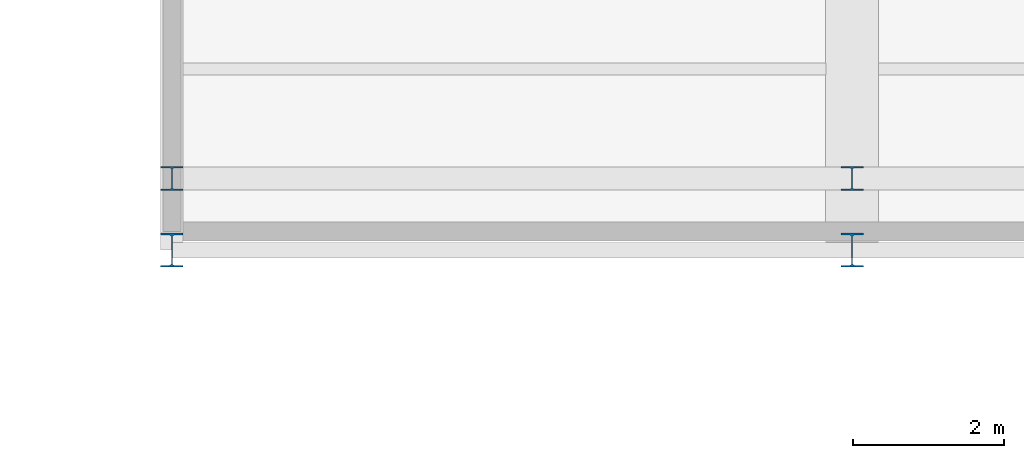
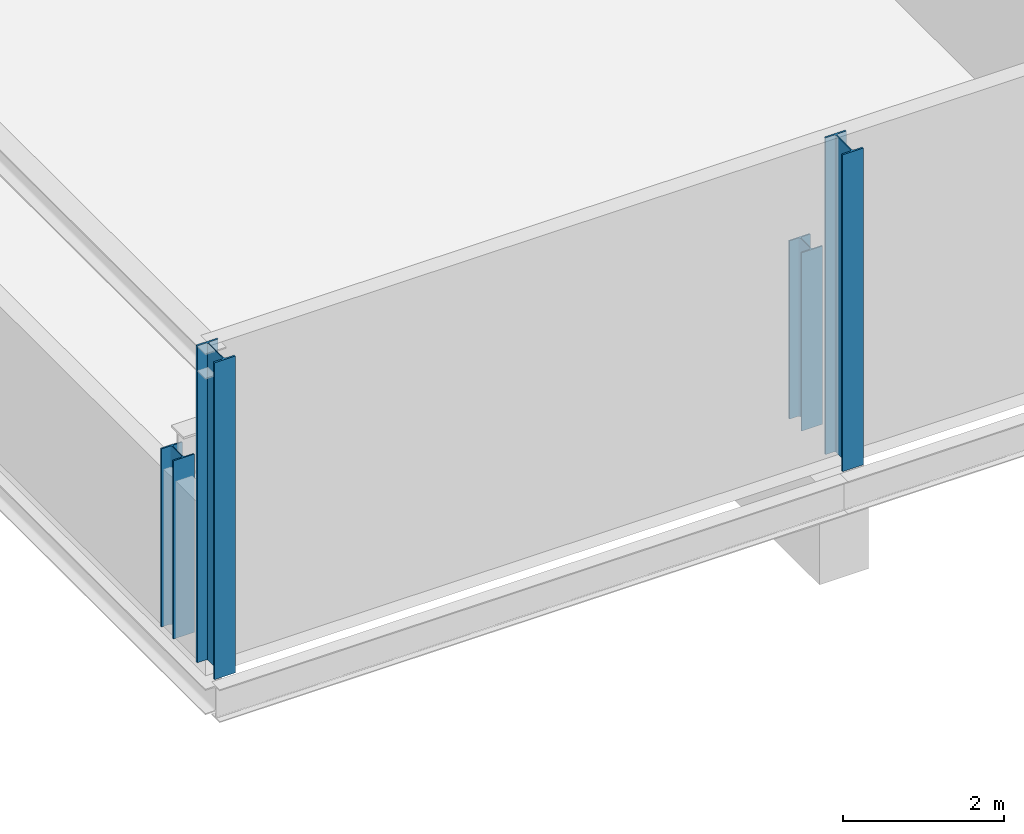
# One storey, part 2 of 177: 4 columns.
"""IFC4 building model written with IfcOpenShell, lengths in metres."""

import ifcopenshell
import ifcopenshell.guid

model = None  # the IFC model being written
_history = None  # IfcOwnerHistory: only IFC2X3 demands one
_inside = {}  # id of a spatial element -> (the spatial element, [elements in it])
_under = {}  # id of a project, library or spatial element -> (it, [spatial elements below it])
_declared = {}  # id of a project -> (the project, [libraries it declares])
_typed = {}  # id of a type object -> (the type object, [elements of that type])
_made_of = {}  # id of a material, layer set ... -> (it, [elements and type objects made of it])


def new_model(schema):
    """Start an empty IFC model of exactly this schema.

    Asked for "IFC4X3", IfcOpenShell would pick the latest addendum, in which some entities
    have other attributes; the version numbers below select the first issue.
    IFC2X3 requires an IfcOwnerHistory on every rooted entity: one is made here for all.
    """
    global model, _history
    if schema == "IFC4X3":
        model = ifcopenshell.file(schema_version=(4, 3, 0, 0))
    else:
        model = ifcopenshell.file(schema=schema)
    _inside.clear()
    _under.clear()
    _declared.clear()
    _typed.clear()
    _made_of.clear()
    _history = None
    if model.schema == "IFC2X3":
        org = make("IfcOrganization", Name="unknown")
        user = make(
            "IfcPersonAndOrganization",
            ThePerson=make("IfcPerson", FamilyName="unknown"),
            TheOrganization=org,
        )
        app = make(
            "IfcApplication",
            ApplicationDeveloper=org,
            Version="unknown",
            ApplicationFullName="unknown",
            ApplicationIdentifier="unknown",
        )
        _history = make(
            "IfcOwnerHistory",
            OwningUser=user,
            OwningApplication=app,
            ChangeAction="ADDED",
            CreationDate=0,
        )
    return model


def make(cls, **values):
    """One entity of the class cls with the attributes given. An attribute that is None is left unset."""
    return model.create_entity(
        cls, **{name: value for name, value in values.items() if value is not None}
    )


def rooted(cls, **values):
    """An entity with a GlobalId (a new one), such as an element, a storey or a relation."""
    return make(cls, GlobalId=ifcopenshell.guid.new(), OwnerHistory=_history, **values)


def si_unit(unit_type, name, prefix=None):
    """IfcSIUnit, for example si_unit("LENGTHUNIT", "METRE", prefix="MILLI")."""
    return make("IfcSIUnit", UnitType=unit_type, Prefix=prefix, Name=name)


def assignment(units):
    """IfcUnitAssignment: the units of a project."""
    return None if units is None else make("IfcUnitAssignment", Units=units)


def point(xyz):
    """IfcCartesianPoint."""
    return None if xyz is None else make("IfcCartesianPoint", Coordinates=xyz)


def direction(xyz):
    """IfcDirection."""
    return None if xyz is None else make("IfcDirection", DirectionRatios=xyz)


def frame(location, z_axis=None, x_axis=None):
    """IfcAxis2Placement3D, a coordinate frame: its origin and axes. An axis left out is left unset."""
    return make(
        "IfcAxis2Placement3D",
        Location=point(location),
        Axis=direction(z_axis),
        RefDirection=direction(x_axis),
    )


def frame_2d(location, x_axis=None):
    """IfcAxis2Placement2D, a coordinate frame in the plane: its origin and x axis."""
    return make(
        "IfcAxis2Placement2D", Location=point(location), RefDirection=direction(x_axis)
    )


def origin():
    """The frame at (0, 0, 0) with its axes left unset."""
    return frame((0.0, 0.0, 0.0))


def origin_2d():
    """The frame at (0, 0) in the plane with its x axis left unset."""
    return frame_2d((0.0, 0.0))


def place(relative_to, where):
    """IfcLocalPlacement: puts the frame where relative to a parent placement (None: the world)."""
    return make(
        "IfcLocalPlacement", PlacementRelTo=relative_to, RelativePlacement=where
    )


def context(
    kind, dimensions, precision=None, world=None, true_north=None, identifier=None
):
    """IfcGeometricRepresentationContext, for example the 3D "Model" context."""
    return make(
        "IfcGeometricRepresentationContext",
        ContextIdentifier=identifier,
        ContextType=kind,
        CoordinateSpaceDimension=dimensions,
        Precision=precision,
        WorldCoordinateSystem=world,
        TrueNorth=true_north,
    )


def subcontext(parent, identifier, kind, view, scale=None):
    """IfcGeometricRepresentationSubContext, for example "Body" below "Model"."""
    return make(
        "IfcGeometricRepresentationSubContext",
        ContextIdentifier=identifier,
        ContextType=kind,
        ParentContext=parent,
        TargetScale=scale,
        TargetView=view,
    )


def project(units=None, contexts=None):
    """IfcProject with its units and contexts."""
    return rooted(
        "IfcProject",
        Name="project",
        RepresentationContexts=contexts,
        UnitsInContext=assignment(units),
    )


def spatial(cls, under=None, at=None, **own):
    """A site, building, storey or space (cls), placed at a placement, below another one or the project."""
    s = rooted(cls, ObjectPlacement=at, **own)
    if under is not None:
        _under.setdefault(under.id(), (under, []))[1].append(s)
    return s


def profile(cls, at=None, kind="AREA", **sizes):
    """A parametric profile (cls). Its sizes go by their IFC names, for example OverallWidth=200.0."""
    return make(cls, ProfileType=kind, Position=at, **sizes)


def i_section(**sizes):
    """IfcIShapeProfileDef."""
    return profile("IfcIShapeProfileDef", **sizes)


def extrude(swept, where, along, depth):
    """IfcExtrudedAreaSolid: the profile swept, set in the frame where, extruded along a direction by depth."""
    return make(
        "IfcExtrudedAreaSolid",
        SweptArea=swept,
        Position=where,
        ExtrudedDirection=direction(along),
        Depth=depth,
    )


def shape(context_of_items, identifier, shape_type, items):
    """IfcShapeRepresentation: the items that make up one representation, for example the "Body"."""
    return make(
        "IfcShapeRepresentation",
        ContextOfItems=context_of_items,
        RepresentationIdentifier=identifier,
        RepresentationType=shape_type,
        Items=items,
    )


def material(Name=None, Category=None):
    """IfcMaterial."""
    return make("IfcMaterial", Name=Name, Category=Category)


def material_profile(
    of_material, cross_section, Name=None, Category=None, Priority=None
):
    """IfcMaterialProfile: a cross section and its material."""
    return make(
        "IfcMaterialProfile",
        Name=Name,
        Material=of_material,
        Profile=cross_section,
        Priority=Priority,
        Category=Category,
    )


def profile_set(profiles, Name=None, composite=None):
    """IfcMaterialProfileSet."""
    return make(
        "IfcMaterialProfileSet",
        Name=Name,
        MaterialProfiles=profiles,
        CompositeProfile=composite,
    )


def made_of(thing, what):
    """Note that an element or type object is made of a material, layer set ...; save() writes the relation."""
    if what is not None:
        _made_of.setdefault(what.id(), (what, []))[1].append(thing)
    return thing


def type_object(cls, material=None, **own):
    """A type object (cls), such as IfcWallType, which elements share."""
    return made_of(rooted(cls, **own), material)


def element(
    cls,
    number,
    at=None,
    inside=None,
    cuts=None,
    type_object=None,
    material=None,
    context=None,
    identifier="Body",
    shape_type=None,
    held_by="IfcProductDefinitionShape",
    body=None,
    shapes=None,
    **own,
):
    """One element of the class cls, such as IfcWall. Its Tag is "e" and its number.

    at: its placement. inside: the storey or other place that contains it. cuts: it is an
    opening in that element (IfcRelVoidsElement). A single representation is given by context,
    identifier, shape_type and body (its items); several are given by shapes. held_by: the class
    of the entity that holds the representations. save() writes the other relations.
    """
    e = rooted(cls, Tag="e%d" % number, ObjectPlacement=at, **own)
    if body is not None:
        shapes = [shape(context, identifier, shape_type, body)]
    if shapes is not None:
        e.Representation = make(held_by, Representations=shapes)
    if inside is not None:
        _inside.setdefault(inside.id(), (inside, []))[1].append(e)
    if cuts is not None:
        rooted(
            "IfcRelVoidsElement", RelatingBuildingElement=cuts, RelatedOpeningElement=e
        )
    if type_object is not None:
        _typed.setdefault(type_object.id(), (type_object, []))[1].append(e)
    return made_of(e, material)


def aggregate(whole, parts):
    """IfcRelAggregates: a whole, such as a stair, and the parts it consists of."""
    return rooted("IfcRelAggregates", RelatingObject=whole, RelatedObjects=parts)


def save(model, path):
    """Write the relations noted so far, then the file.

    IfcRelAggregates (storeys below a building ...), IfcRelContainedInSpatialStructure (elements
    in a storey), IfcRelDefinesByType, IfcRelAssociatesMaterial and IfcRelDeclares: one each for
    every whole, place, type object, material and project.
    """
    for whole, parts in _under.values():
        aggregate(whole, parts)
    for where, things in _inside.values():
        rooted(
            "IfcRelContainedInSpatialStructure",
            RelatedElements=things,
            RelatingStructure=where,
        )
    for kind, things in _typed.values():
        rooted("IfcRelDefinesByType", RelatedObjects=things, RelatingType=kind)
    for what, things in _made_of.values():
        rooted("IfcRelAssociatesMaterial", RelatedObjects=things, RelatingMaterial=what)
    for by, libraries in _declared.values():
        rooted("IfcRelDeclares", RelatingContext=by, RelatedDefinitions=libraries)
    model.write(path)


model = new_model("IFC4")

# Units and contexts
model_context = context("Model", 3, precision=1e-05, world=origin(), true_north=direction((0.0, 1.0)))
body_context = subcontext(model_context, "Body", "Model", "MODEL_VIEW")
ifc_project = project(units=[si_unit("LENGTHUNIT", "METRE"), si_unit("AREAUNIT", "SQUARE_METRE"), si_unit("VOLUMEUNIT", "CUBIC_METRE"), si_unit("PLANEANGLEUNIT", "RADIAN"), si_unit("MASSUNIT", "GRAM", prefix="KILO")], contexts=[model_context])

# Site, building, storey
site_placement = place(None, origin())
site = spatial("IfcSite", under=ifc_project, at=site_placement, CompositionType="ELEMENT")
building_placement = place(site_placement, origin())
building = spatial("IfcBuilding", under=site, at=building_placement, Name="Chiffa Square Polytechnic", CompositionType="ELEMENT")
storey_placement = place(building_placement, frame((0.0, 0.0, 4.800048828125)))
storey = spatial("IfcBuildingStorey", under=building, at=storey_placement, Name="L01", CompositionType="ELEMENT", Elevation=4.800048828125)

# Columns
ifc_material = material(Name="Steel S355", Category="steel")
ifc_material_profile_1 = material_profile(ifc_material, i_section(OverallWidth=0.300048828125, OverallDepth=0.320068359375, WebThickness=0.011474609375, FlangeThickness=0.0205078125, FilletRadius=0.027099609375, at=origin_2d()), Name="HEB 320")
ifc_profile_set_1 = profile_set([ifc_material_profile_1], Name="Steel S355")
column_type_1 = type_object("IfcColumnType", Name="COL-STL-HEB320", PredefinedType="COLUMN", material=ifc_profile_set_1)
for number, where, z_axis, x_axis, name in (
    (1, (112.199951171875, 59.14990234375, 0.0), (0.0, 0.0, 1.0), (1.0, 0.0, 0.0), "Crane stanchion upper post C-V2-CRN-L01-112-S"),
    (2, (121.199951171875, 59.14990234375, 0.0), (0.0, 0.0, 1.0), (1.0, 0.0, 0.0), "Crane stanchion upper post C-V2-CRN-L01-121-S"),
):
    element("IfcColumn", number, at=place(storey_placement, frame(where, z_axis=z_axis, x_axis=x_axis)), inside=storey, type_object=column_type_1, Name=name, PredefinedType="COLUMN", context=body_context, shape_type="SweptSolid", body=[
        extrude(i_section(OverallWidth=0.300048828125, OverallDepth=0.320068359375, WebThickness=0.011474609375, FlangeThickness=0.0205078125, FilletRadius=0.027099609375, at=origin_2d()), origin(), (0.0, 0.0, 1.0), 2.699951171875),
    ])
ifc_material_profile_2 = material_profile(ifc_material, i_section(OverallWidth=0.300048828125, OverallDepth=0.449951171875, WebThickness=0.013916015625, FlangeThickness=0.02587890625, FilletRadius=0.027099609375, at=origin_2d()), Name="HEB 450")
ifc_profile_set_2 = profile_set([ifc_material_profile_2], Name="Steel S355")
column_type_2 = type_object("IfcColumnType", Name="COL-STL-HEB450", PredefinedType="COLUMN", material=ifc_profile_set_2)
for number, where, z_axis, x_axis, name in (
    (3, (112.199951171875, 58.199951171875, 0.0), (0.0, 0.0, 1.0), (1.0, 0.0, 0.0), "Column C-V2-L01-1122-0582"),
    (4, (121.199951171875, 58.199951171875, 0.0), (0.0, 0.0, 1.0), (1.0, 0.0, 0.0), "Column C-V2-L01-1212-0582"),
):
    element("IfcColumn", number, at=place(storey_placement, frame(where, z_axis=z_axis, x_axis=x_axis)), inside=storey, type_object=column_type_2, Name=name, PredefinedType="COLUMN", context=body_context, shape_type="SweptSolid", body=[
        extrude(i_section(OverallWidth=0.300048828125, OverallDepth=0.449951171875, WebThickness=0.013916015625, FlangeThickness=0.02587890625, FilletRadius=0.027099609375, at=origin_2d()), origin(), (0.0, 0.0, 1.0), 4.800048828125),
    ])

save(model, "model.ifc")
